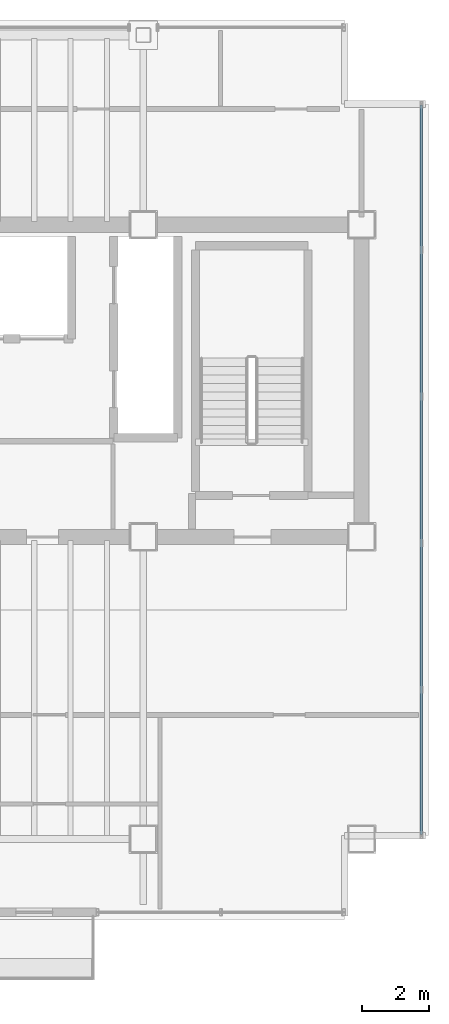
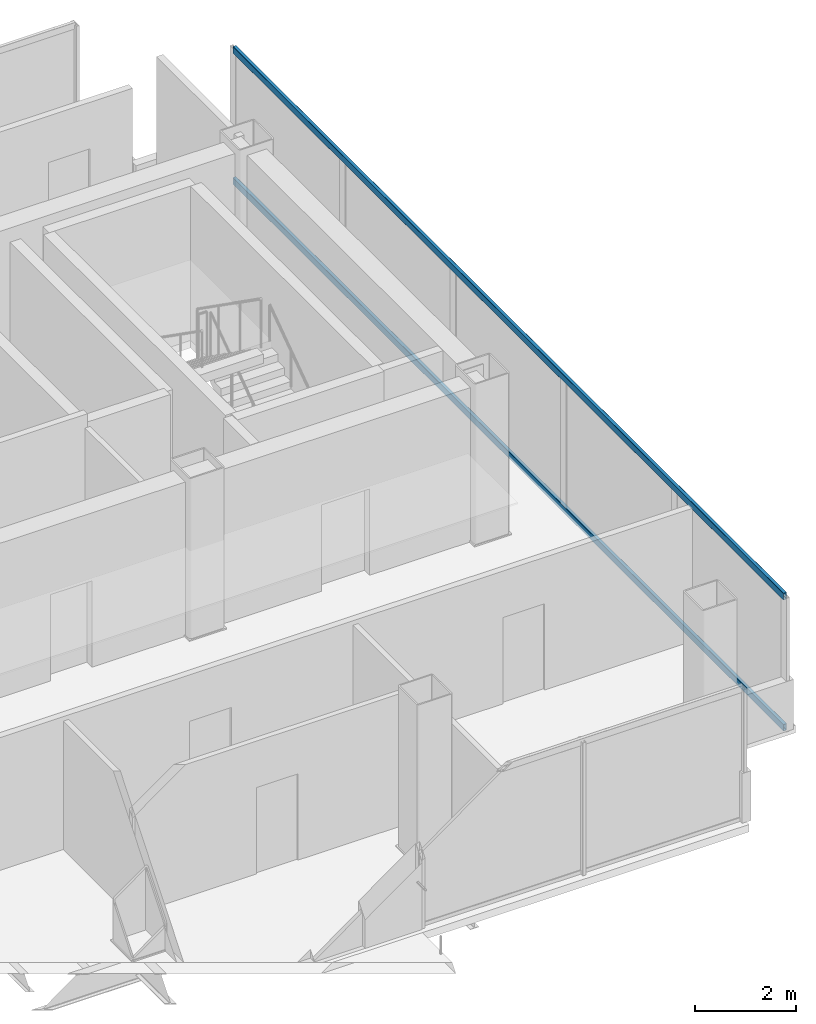
# One storey, part 12 of 17: 2 members, 1 element without a shape of its own.
"""IFC4 building model written with IfcOpenShell, lengths in metres."""

from ifc_helpers import new_model, si_unit, direction, frame, origin, origin_2d, place, context, subcontext, project, spatial, hollow_rectangle, extrude, material, material_profile, profile_set, type_object, element, aggregate, save


model = new_model("IFC4")

# Units and contexts
model_context = context("Model", 3, precision=1e-05, world=origin(), true_north=direction((0.0, 1.0)))
body_context = subcontext(model_context, "Body", "Model", "MODEL_VIEW")
ifc_project = project(units=[si_unit("LENGTHUNIT", "METRE"), si_unit("AREAUNIT", "SQUARE_METRE"), si_unit("VOLUMEUNIT", "CUBIC_METRE"), si_unit("PLANEANGLEUNIT", "RADIAN"), si_unit("MASSUNIT", "GRAM", prefix="KILO")], contexts=[model_context])

# Site, building, storey
site_placement = place(None, origin())
site = spatial("IfcSite", under=ifc_project, at=site_placement, CompositionType="ELEMENT")
building_placement = place(site_placement, origin())
building = spatial("IfcBuilding", under=site, at=building_placement, Name="Noeulbin Bourse Tower", CompositionType="ELEMENT")
storey_placement = place(building_placement, frame((0.0, 0.0, 265.699951171875)))
storey = spatial("IfcBuildingStorey", under=building, at=storey_placement, Name="L66", CompositionType="ELEMENT", Elevation=265.699951171875)

# Curtain wall, members
ifc_material_1 = material(Name="High-Selectivity Low-Iron Glazing", Category="glass")
curtain_wall_type = type_object("IfcCurtainWallType", Name="CW-SYS-4", PredefinedType="NOTDEFINED", material=ifc_material_1)
curtain_wall_placement = place(storey_placement, origin())
curtain_wall = element("IfcCurtainWall", 1, at=curtain_wall_placement, inside=storey, type_object=curtain_wall_type, Name="Unitised Curtain Wall CW-L66-E", PredefinedType="NOTDEFINED")
ifc_material_2 = material(Name="Anodised Aluminium 6063-T6", Category="aluminium")
ifc_material_profile = material_profile(ifc_material_2, hollow_rectangle(XDim=0.074951171875, YDim=0.159912109375, WallThickness=0.0048828125, InnerFilletRadius=0.00244140625, OuterFilletRadius=0.0048828125, at=origin_2d()), Name="ALU-TRAN-75x160x5", Category="LoadBearing")
ifc_profile_set = profile_set([ifc_material_profile], Name="Anodised Aluminium 6063-T6")
member_type = type_object("IfcMemberType", Name="CW-SYS-4-TRN", PredefinedType="USERDEFINED", material=ifc_profile_set)
member_1_placement = place(storey_placement, frame((45.780029296875, 20.1298828125, 0.010009765625), z_axis=(0.0, 1.0, 0.0), x_axis=(-1.0, 0.0, 0.0)))
member_1 = element("IfcMember", 2, at=member_1_placement, type_object=member_type, Name="Curtain Wall Transom CW-L66-E-T00", ObjectType="TRANSOM", PredefinedType="USERDEFINED", context=body_context, shape_type="SweptSolid", body=[
    extrude(hollow_rectangle(XDim=0.074951171875, YDim=0.159912109375, WallThickness=0.0048828125, InnerFilletRadius=0.00244140625, OuterFilletRadius=0.0048828125, at=origin_2d()), origin(), (0.0, 0.0, 1.0), 21.740234375),
])
member_2_placement = place(storey_placement, frame((45.780029296875, 20.1298828125, 3.170166015625), z_axis=(0.0, 1.0, 0.0), x_axis=(-1.0, 0.0, 0.0)))
member_2 = element("IfcMember", 3, at=member_2_placement, type_object=member_type, Name="Curtain Wall Transom CW-L66-E-T01", ObjectType="TRANSOM", PredefinedType="USERDEFINED", context=body_context, shape_type="SweptSolid", body=[
    extrude(hollow_rectangle(XDim=0.074951171875, YDim=0.159912109375, WallThickness=0.0048828125, InnerFilletRadius=0.00244140625, OuterFilletRadius=0.0048828125, at=origin_2d()), origin(), (0.0, 0.0, 1.0), 21.740234375),
])
aggregate(curtain_wall, [member_1, member_2])

save(model, "model.ifc")
